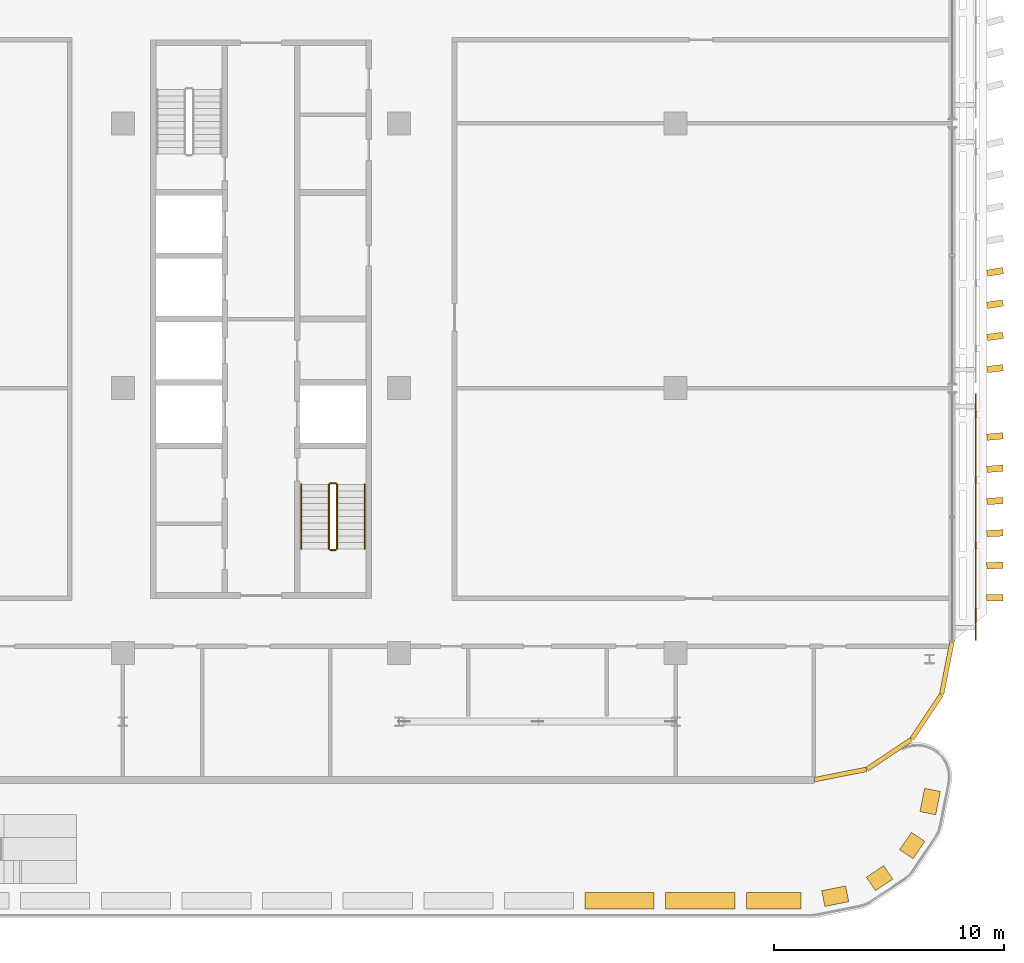
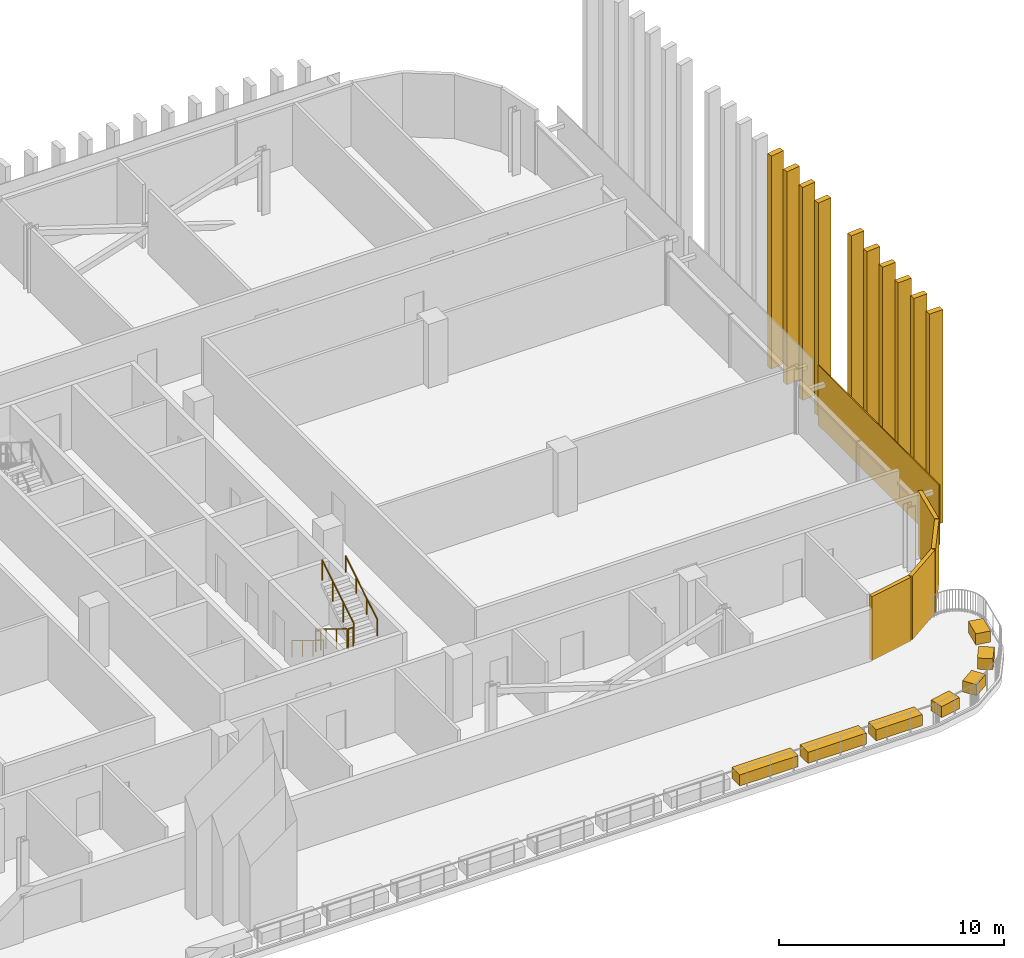
# One storey, part 28 of 30: 22 coverings, 6 railings.
"""IFC4 building model written with IfcOpenShell, lengths in metres."""

import ifcopenshell
import ifcopenshell.guid

model = None  # the IFC model being written
_history = None  # IfcOwnerHistory: only IFC2X3 demands one
_inside = {}  # id of a spatial element -> (the spatial element, [elements in it])
_under = {}  # id of a project, library or spatial element -> (it, [spatial elements below it])
_declared = {}  # id of a project -> (the project, [libraries it declares])
_typed = {}  # id of a type object -> (the type object, [elements of that type])
_made_of = {}  # id of a material, layer set ... -> (it, [elements and type objects made of it])


def new_model(schema):
    """Start an empty IFC model of exactly this schema.

    Asked for "IFC4X3", IfcOpenShell would pick the latest addendum, in which some entities
    have other attributes; the version numbers below select the first issue.
    IFC2X3 requires an IfcOwnerHistory on every rooted entity: one is made here for all.
    """
    global model, _history
    if schema == "IFC4X3":
        model = ifcopenshell.file(schema_version=(4, 3, 0, 0))
    else:
        model = ifcopenshell.file(schema=schema)
    _inside.clear()
    _under.clear()
    _declared.clear()
    _typed.clear()
    _made_of.clear()
    _history = None
    if model.schema == "IFC2X3":
        org = make("IfcOrganization", Name="unknown")
        user = make(
            "IfcPersonAndOrganization",
            ThePerson=make("IfcPerson", FamilyName="unknown"),
            TheOrganization=org,
        )
        app = make(
            "IfcApplication",
            ApplicationDeveloper=org,
            Version="unknown",
            ApplicationFullName="unknown",
            ApplicationIdentifier="unknown",
        )
        _history = make(
            "IfcOwnerHistory",
            OwningUser=user,
            OwningApplication=app,
            ChangeAction="ADDED",
            CreationDate=0,
        )
    return model


def make(cls, **values):
    """One entity of the class cls with the attributes given. An attribute that is None is left unset."""
    return model.create_entity(
        cls, **{name: value for name, value in values.items() if value is not None}
    )


def rooted(cls, **values):
    """An entity with a GlobalId (a new one), such as an element, a storey or a relation."""
    return make(cls, GlobalId=ifcopenshell.guid.new(), OwnerHistory=_history, **values)


def si_unit(unit_type, name, prefix=None):
    """IfcSIUnit, for example si_unit("LENGTHUNIT", "METRE", prefix="MILLI")."""
    return make("IfcSIUnit", UnitType=unit_type, Prefix=prefix, Name=name)


def assignment(units):
    """IfcUnitAssignment: the units of a project."""
    return None if units is None else make("IfcUnitAssignment", Units=units)


def point(xyz):
    """IfcCartesianPoint."""
    return None if xyz is None else make("IfcCartesianPoint", Coordinates=xyz)


def direction(xyz):
    """IfcDirection."""
    return None if xyz is None else make("IfcDirection", DirectionRatios=xyz)


def frame(location, z_axis=None, x_axis=None):
    """IfcAxis2Placement3D, a coordinate frame: its origin and axes. An axis left out is left unset."""
    return make(
        "IfcAxis2Placement3D",
        Location=point(location),
        Axis=direction(z_axis),
        RefDirection=direction(x_axis),
    )


def frame_2d(location, x_axis=None):
    """IfcAxis2Placement2D, a coordinate frame in the plane: its origin and x axis."""
    return make(
        "IfcAxis2Placement2D", Location=point(location), RefDirection=direction(x_axis)
    )


def origin():
    """The frame at (0, 0, 0) with its axes left unset."""
    return frame((0.0, 0.0, 0.0))


def origin_2d():
    """The frame at (0, 0) in the plane with its x axis left unset."""
    return frame_2d((0.0, 0.0))


def place(relative_to, where):
    """IfcLocalPlacement: puts the frame where relative to a parent placement (None: the world)."""
    return make(
        "IfcLocalPlacement", PlacementRelTo=relative_to, RelativePlacement=where
    )


def context(
    kind, dimensions, precision=None, world=None, true_north=None, identifier=None
):
    """IfcGeometricRepresentationContext, for example the 3D "Model" context."""
    return make(
        "IfcGeometricRepresentationContext",
        ContextIdentifier=identifier,
        ContextType=kind,
        CoordinateSpaceDimension=dimensions,
        Precision=precision,
        WorldCoordinateSystem=world,
        TrueNorth=true_north,
    )


def subcontext(parent, identifier, kind, view, scale=None):
    """IfcGeometricRepresentationSubContext, for example "Body" below "Model"."""
    return make(
        "IfcGeometricRepresentationSubContext",
        ContextIdentifier=identifier,
        ContextType=kind,
        ParentContext=parent,
        TargetScale=scale,
        TargetView=view,
    )


def project(units=None, contexts=None):
    """IfcProject with its units and contexts."""
    return rooted(
        "IfcProject",
        Name="project",
        RepresentationContexts=contexts,
        UnitsInContext=assignment(units),
    )


def spatial(cls, under=None, at=None, **own):
    """A site, building, storey or space (cls), placed at a placement, below another one or the project."""
    s = rooted(cls, ObjectPlacement=at, **own)
    if under is not None:
        _under.setdefault(under.id(), (under, []))[1].append(s)
    return s


def profile(cls, at=None, kind="AREA", **sizes):
    """A parametric profile (cls). Its sizes go by their IFC names, for example OverallWidth=200.0."""
    return make(cls, ProfileType=kind, Position=at, **sizes)


def rectangle(**sizes):
    """IfcRectangleProfileDef."""
    return profile("IfcRectangleProfileDef", **sizes)


def circle(**sizes):
    """IfcCircleProfileDef."""
    return profile("IfcCircleProfileDef", **sizes)


def extrude(swept, where, along, depth):
    """IfcExtrudedAreaSolid: the profile swept, set in the frame where, extruded along a direction by depth."""
    return make(
        "IfcExtrudedAreaSolid",
        SweptArea=swept,
        Position=where,
        ExtrudedDirection=direction(along),
        Depth=depth,
    )


def shape(context_of_items, identifier, shape_type, items):
    """IfcShapeRepresentation: the items that make up one representation, for example the "Body"."""
    return make(
        "IfcShapeRepresentation",
        ContextOfItems=context_of_items,
        RepresentationIdentifier=identifier,
        RepresentationType=shape_type,
        Items=items,
    )


def material(Name=None, Category=None):
    """IfcMaterial."""
    return make("IfcMaterial", Name=Name, Category=Category)


def layer(
    of_material, thickness, ventilated=None, Name=None, Category=None, Priority=None
):
    """IfcMaterialLayer: one layer of a wall or slab, of a material (None: an air gap)."""
    return make(
        "IfcMaterialLayer",
        Material=of_material,
        LayerThickness=thickness,
        IsVentilated=ventilated,
        Name=Name,
        Category=Category,
        Priority=Priority,
    )


def layer_set(layers, Name=None):
    """IfcMaterialLayerSet."""
    return make("IfcMaterialLayerSet", MaterialLayers=layers, LayerSetName=Name)


def made_of(thing, what):
    """Note that an element or type object is made of a material, layer set ...; save() writes the relation."""
    if what is not None:
        _made_of.setdefault(what.id(), (what, []))[1].append(thing)
    return thing


def type_object(cls, material=None, **own):
    """A type object (cls), such as IfcWallType, which elements share."""
    return made_of(rooted(cls, **own), material)


def element(
    cls,
    number,
    at=None,
    inside=None,
    cuts=None,
    type_object=None,
    material=None,
    context=None,
    identifier="Body",
    shape_type=None,
    held_by="IfcProductDefinitionShape",
    body=None,
    shapes=None,
    **own,
):
    """One element of the class cls, such as IfcWall. Its Tag is "e" and its number.

    at: its placement. inside: the storey or other place that contains it. cuts: it is an
    opening in that element (IfcRelVoidsElement). A single representation is given by context,
    identifier, shape_type and body (its items); several are given by shapes. held_by: the class
    of the entity that holds the representations. save() writes the other relations.
    """
    e = rooted(cls, Tag="e%d" % number, ObjectPlacement=at, **own)
    if body is not None:
        shapes = [shape(context, identifier, shape_type, body)]
    if shapes is not None:
        e.Representation = make(held_by, Representations=shapes)
    if inside is not None:
        _inside.setdefault(inside.id(), (inside, []))[1].append(e)
    if cuts is not None:
        rooted(
            "IfcRelVoidsElement", RelatingBuildingElement=cuts, RelatedOpeningElement=e
        )
    if type_object is not None:
        _typed.setdefault(type_object.id(), (type_object, []))[1].append(e)
    return made_of(e, material)


def aggregate(whole, parts):
    """IfcRelAggregates: a whole, such as a stair, and the parts it consists of."""
    return rooted("IfcRelAggregates", RelatingObject=whole, RelatedObjects=parts)


def save(model, path):
    """Write the relations noted so far, then the file.

    IfcRelAggregates (storeys below a building ...), IfcRelContainedInSpatialStructure (elements
    in a storey), IfcRelDefinesByType, IfcRelAssociatesMaterial and IfcRelDeclares: one each for
    every whole, place, type object, material and project.
    """
    for whole, parts in _under.values():
        aggregate(whole, parts)
    for where, things in _inside.values():
        rooted(
            "IfcRelContainedInSpatialStructure",
            RelatedElements=things,
            RelatingStructure=where,
        )
    for kind, things in _typed.values():
        rooted("IfcRelDefinesByType", RelatedObjects=things, RelatingType=kind)
    for what, things in _made_of.values():
        rooted("IfcRelAssociatesMaterial", RelatedObjects=things, RelatingMaterial=what)
    for by, libraries in _declared.values():
        rooted("IfcRelDeclares", RelatingContext=by, RelatedDefinitions=libraries)
    model.write(path)


model = new_model("IFC4")

# Units and contexts
model_context = context("Model", 3, precision=1e-05, world=origin(), true_north=direction((0.0, 1.0)))
body_context = subcontext(model_context, "Body", "Model", "MODEL_VIEW")
ifc_project = project(units=[si_unit("LENGTHUNIT", "METRE"), si_unit("AREAUNIT", "SQUARE_METRE"), si_unit("VOLUMEUNIT", "CUBIC_METRE"), si_unit("PLANEANGLEUNIT", "RADIAN"), si_unit("MASSUNIT", "GRAM", prefix="KILO")], contexts=[model_context])

# Site, building, storey
site_placement = place(None, origin())
site = spatial("IfcSite", under=ifc_project, at=site_placement, CompositionType="ELEMENT")
building_placement = place(site_placement, origin())
building = spatial("IfcBuilding", under=site, at=building_placement, Name="Mahtab Terrace Research Tower", CompositionType="ELEMENT")
storey_placement = place(building_placement, frame((0.0, 0.0, 228.60009765625)))
storey = spatial("IfcBuildingStorey", under=building, at=storey_placement, Name="L55", CompositionType="ELEMENT", Elevation=228.60009765625)

# Coverings
ifc_material_1 = material(Name="Black aluminium cladding panel", Category="aluminium")
ifc_layer_1 = layer(ifc_material_1, 0.199951171875)
ifc_layer_set_1 = layer_set([ifc_layer_1], Name="Black metal corner cladding 200")
covering_type_1 = type_object("IfcCoveringType", Name="Black metal corner cladding 200", PredefinedType="CLADDING", material=ifc_layer_set_1)
for number, where, z_axis, x_axis, name in (
    (1, (49.14794921875, -16.771484375, 0.0), (0.0, 0.0, 1.0), (0.980760981187, 0.195212442692, 0.0), "Corner cladding L55 16"),
    (2, (51.26953125, -15.89306640625, 0.0), (0.0, 0.0, 1.0), (0.831655794326, 0.555291490808, 0.0), "Corner cladding L55 17"),
    (3, (52.89306640625, -14.26953125, 0.0), (0.0, 0.0, 1.0), (0.555291490808, 0.831655794326, 0.0), "Corner cladding L55 18"),
    (4, (53.771484375, -12.14794921875, 0.0), (0.0, 0.0, 1.0), (0.195212442692, 0.980760981187, 0.0), "Corner cladding L55 19"),
):
    element("IfcCovering", number, at=place(storey_placement, frame(where, z_axis=z_axis, x_axis=x_axis)), inside=storey, type_object=covering_type_1, Name=name, PredefinedType="CLADDING", context=body_context, shape_type="SweptSolid", body=[
        extrude(rectangle(XDim=2.30126953125, YDim=0.199951171875, at=origin_2d()), origin(), (0.0, 0.0, 1.0), 3.4599609375),
    ])
ifc_material_2 = material(Name="Planting soil and shrubs")
ifc_layer_2 = layer(ifc_material_2, 0.1201171875)
ifc_layer_set_2 = layer_set([ifc_layer_2], Name="Planter")
covering_type_2 = type_object("IfcCoveringType", Name="Planter", PredefinedType="USERDEFINED", material=ifc_layer_set_2)
for number, where, z_axis, x_axis, name in (
    (5, (39.56591796875, -22.25, 0.02978515625), (0.0, 0.0, 1.0), (1.0, 0.0, 0.0), "PLANTER terrace 6"),
    (6, (43.06591796875, -22.25, 0.02978515625), (0.0, 0.0, 1.0), (1.0, 0.0, 0.0), "PLANTER terrace 6"),
):
    element("IfcCovering", number, at=place(storey_placement, frame(where, z_axis=z_axis, x_axis=x_axis)), inside=storey, type_object=covering_type_2, Name=name, ObjectType="PLANTER", PredefinedType="USERDEFINED", context=body_context, shape_type="SweptSolid", body=[
        extrude(rectangle(XDim=3.0, YDim=0.699951171875, at=origin_2d()), origin(), (0.0, 0.0, 1.0), 0.60009765625),
    ])
covering_1_placement = place(storey_placement, frame((46.25, -22.25, 0.02978515625), z_axis=(0.0, 0.0, 1.0), x_axis=(1.0, 0.0, 0.0)))
element("IfcCovering", 7, at=covering_1_placement, inside=storey, type_object=covering_type_2, Name="PLANTER terrace 6", ObjectType="PLANTER", PredefinedType="USERDEFINED", context=body_context, shape_type="SweptSolid", body=[
    extrude(rectangle(XDim=2.368408203125, YDim=0.699951171875, at=origin_2d()), origin(), (0.0, 0.0, 1.0), 0.60009765625),
])
covering_2_placement = place(storey_placement, frame((48.92822265625, -22.05029296875, 0.02978515625), z_axis=(0.0, 0.0, 1.0), x_axis=(0.980742754391, 0.195303993071, 0.0)))
element("IfcCovering", 8, at=covering_2_placement, inside=storey, type_object=covering_type_2, Name="PLANTER terrace 6", ObjectType="PLANTER", PredefinedType="USERDEFINED", context=body_context, shape_type="SweptSolid", body=[
    extrude(rectangle(XDim=1.060546875, YDim=0.699951171875, at=origin_2d()), origin(), (0.0, 0.0, 1.0), 0.60009765625),
])
for number, where, z_axis, x_axis, name in (
    (9, (50.853759765625, -21.268798828125, 0.02978515625), (0.0, 0.0, 1.0), (0.831344457855, 0.555757494231, 0.0), "PLANTER terrace 6"),
    (10, (52.268798828125, -19.853759765625, 0.02978515625), (0.0, 0.0, 1.0), (0.555757494231, 0.831344457855, 0.0), "PLANTER terrace 6"),
):
    element("IfcCovering", number, at=place(storey_placement, frame(where, z_axis=z_axis, x_axis=x_axis)), inside=storey, type_object=covering_type_2, Name=name, ObjectType="PLANTER", PredefinedType="USERDEFINED", context=body_context, shape_type="SweptSolid", body=[
        extrude(rectangle(XDim=0.908447265625, YDim=0.699951171875, at=origin_2d()), origin(), (0.0, 0.0, 1.0), 0.60009765625),
    ])
covering_3_placement = place(storey_placement, frame((53.0478515625, -17.941162109375, 0.02978515625), z_axis=(0.0, 0.0, 1.0), x_axis=(0.195395445655, 0.980724538195, 0.0)))
element("IfcCovering", 11, at=covering_3_placement, inside=storey, type_object=covering_type_2, Name="PLANTER terrace 6", ObjectType="PLANTER", PredefinedType="USERDEFINED", context=body_context, shape_type="SweptSolid", body=[
    extrude(rectangle(XDim=1.0341796875, YDim=0.699951171875, at=origin_2d()), origin(), (0.0, 0.0, 1.0), 0.60009765625),
])
ifc_material_3 = material(Name="Bronze anodised aluminium", Category="aluminium")
ifc_layer_3 = layer(ifc_material_3, 0.050048828125)
ifc_layer_set_3 = layer_set([ifc_layer_3], Name="Sky lounge girih screen panel")
covering_type_3 = type_object("IfcCoveringType", Name="Sky lounge girih screen panel", PredefinedType="CLADDING", material=ifc_layer_set_3)
covering_4_placement = place(storey_placement, frame((55.02490234375, -5.596435546875, 0.10009765625), z_axis=(0.0, 0.0, 1.0), x_axis=(0.0, 1.0, 0.0)))
element("IfcCovering", 12, at=covering_4_placement, inside=storey, type_object=covering_type_3, Name="Girih screen L55 E21", PredefinedType="CLADDING", context=body_context, shape_type="SweptSolid", body=[
    extrude(rectangle(XDim=10.70703125, YDim=0.050048828125, at=origin_2d()), origin(), (0.0, 0.0, 1.0), 3.260009765625),
])

# Railings
ifc_material_4 = material(Name="Stainless steel AISI 304", Category="steel")
railing_type_1 = type_object("IfcRailingType", Name="Stair guard 1100", PredefinedType="GUARDRAIL", material=ifc_material_4)
railing_1_placement = place(storey_placement, frame((26.949951171875, -4.175048828125, 0.172607421875)))
element("IfcRailing", 13, at=railing_1_placement, inside=storey, type_object=railing_type_1, Name="L55 ST4 stair guard 1", PredefinedType="GUARDRAIL", context=body_context, shape_type="SweptSolid", body=[
    extrude(circle(Radius=0.02392578125, at=origin_2d()), frame((0.0, 0.0, 1.076171875), z_axis=(0.0, -0.851089632645, 0.525020415988), x_axis=(1.0, 0.0, 0.0)), (0.0, 0.0, 1.0), 3.2900390625),
    extrude(circle(Radius=0.02099609375, at=origin_2d()), origin(), (0.0, 0.0, 1.0), 1.052001953125),
    extrude(circle(Radius=0.02099609375, at=origin_2d()), frame((0.0, -0.933349609375, 0.57568359375)), (0.0, 0.0, 1.0), 1.052001953125),
    extrude(circle(Radius=0.02099609375, at=origin_2d()), frame((0.0, -1.86669921875, 1.151611328125)), (0.0, 0.0, 1.0), 1.052001953125),
    extrude(circle(Radius=0.02099609375, at=origin_2d()), frame((0.0, -2.800048828125, 1.727294921875)), (0.0, 0.0, 1.0), 1.052001953125),
])
railing_2_placement = place(storey_placement, frame((27.0, -7.02490234375, 1.89990234375)))
element("IfcRailing", 14, at=railing_2_placement, inside=storey, type_object=railing_type_1, Name="L55 ST4 stair guard 2", PredefinedType="GUARDRAIL", context=body_context, shape_type="SweptSolid", body=[
    extrude(circle(Radius=0.02392578125, at=origin_2d()), frame((0.0, 0.0, 1.076171875), z_axis=(1.0, 0.0, 0.0), x_axis=(0.0, 1.0, 0.0)), (0.0, 0.0, 1.0), 0.25),
    extrude(circle(Radius=0.02099609375, at=origin_2d()), origin(), (0.0, 0.0, 1.0), 1.052001953125),
    extrude(circle(Radius=0.02099609375, at=origin_2d()), frame((0.25, 0.0, 0.0)), (0.0, 0.0, 1.0), 1.052001953125),
])
railing_3_placement = place(storey_placement, frame((27.300048828125, -6.97509765625, 2.072509765625)))
element("IfcRailing", 15, at=railing_3_placement, inside=storey, type_object=railing_type_1, Name="L55 ST4 stair guard 3", PredefinedType="GUARDRAIL", context=body_context, shape_type="SweptSolid", body=[
    extrude(circle(Radius=0.02392578125, at=origin_2d()), frame((0.0, 0.0, 1.076171875), z_axis=(0.0, 0.851089632645, 0.525020415988), x_axis=(-1.0, 0.0, 0.0)), (0.0, 0.0, 1.0), 3.2900390625),
    extrude(circle(Radius=0.02099609375, at=origin_2d()), origin(), (0.0, 0.0, 1.0), 1.052001953125),
    extrude(circle(Radius=0.02099609375, at=origin_2d()), frame((0.0, 0.933349609375, 0.57568359375)), (0.0, 0.0, 1.0), 1.052001953125),
    extrude(circle(Radius=0.02099609375, at=origin_2d()), frame((0.0, 1.86669921875, 1.151611328125)), (0.0, 0.0, 1.0), 1.052001953125),
    extrude(circle(Radius=0.02099609375, at=origin_2d()), frame((0.0, 2.800048828125, 1.727294921875)), (0.0, 0.0, 1.0), 1.052001953125),
])
railing_4_placement = place(storey_placement, frame((27.0, -4.125, 0.0)))
element("IfcRailing", 16, at=railing_4_placement, inside=storey, type_object=railing_type_1, Name="L55 ST4 stair guard 4", PredefinedType="GUARDRAIL", context=body_context, shape_type="SweptSolid", body=[
    extrude(circle(Radius=0.02392578125, at=origin_2d()), frame((0.0, 0.0, 1.076171875), z_axis=(1.0, 0.0, 0.0), x_axis=(0.0, 1.0, 0.0)), (0.0, 0.0, 1.0), 0.25),
    extrude(circle(Radius=0.02099609375, at=origin_2d()), origin(), (0.0, 0.0, 1.0), 1.052001953125),
    extrude(circle(Radius=0.02099609375, at=origin_2d()), frame((0.25, 0.0, 0.0)), (0.0, 0.0, 1.0), 1.052001953125),
])
railing_type_2 = type_object("IfcRailingType", Name="Stair handrail 900", PredefinedType="HANDRAIL", material=ifc_material_4)
railing_5_placement = place(storey_placement, frame((25.75, -4.175048828125, 0.172607421875)))
element("IfcRailing", 17, at=railing_5_placement, inside=storey, type_object=railing_type_2, Name="L55 ST4 stair handrail 1", PredefinedType="HANDRAIL", context=body_context, shape_type="SweptSolid", body=[
    extrude(circle(Radius=0.02392578125, at=origin_2d()), frame((0.0, 0.0, 0.8759765625), z_axis=(0.0, -0.851089632645, 0.525020415988), x_axis=(1.0, 0.0, 0.0)), (0.0, 0.0, 1.0), 3.2900390625),
    extrude(circle(Radius=0.02099609375, at=origin_2d()), origin(), (0.0, 0.0, 1.0), 0.851806640625),
    extrude(circle(Radius=0.02099609375, at=origin_2d()), frame((0.0, -0.933349609375, 0.57568359375)), (0.0, 0.0, 1.0), 0.851806640625),
    extrude(circle(Radius=0.02099609375, at=origin_2d()), frame((0.0, -1.86669921875, 1.151611328125)), (0.0, 0.0, 1.0), 0.851806640625),
    extrude(circle(Radius=0.02099609375, at=origin_2d()), frame((0.0, -2.800048828125, 1.727294921875)), (0.0, 0.0, 1.0), 0.851806640625),
])
railing_6_placement = place(storey_placement, frame((28.5, -6.97509765625, 2.072509765625)))
element("IfcRailing", 18, at=railing_6_placement, inside=storey, type_object=railing_type_2, Name="L55 ST4 stair handrail 2", PredefinedType="HANDRAIL", context=body_context, shape_type="SweptSolid", body=[
    extrude(circle(Radius=0.02392578125, at=origin_2d()), frame((0.0, 0.0, 0.8759765625), z_axis=(0.0, 0.851089632645, 0.525020415988), x_axis=(-1.0, 0.0, 0.0)), (0.0, 0.0, 1.0), 3.2900390625),
    extrude(circle(Radius=0.02099609375, at=origin_2d()), origin(), (0.0, 0.0, 1.0), 0.851806640625),
    extrude(circle(Radius=0.02099609375, at=origin_2d()), frame((0.0, 0.933349609375, 0.57568359375)), (0.0, 0.0, 1.0), 0.851806640625),
    extrude(circle(Radius=0.02099609375, at=origin_2d()), frame((0.0, 1.86669921875, 1.151611328125)), (0.0, 0.0, 1.0), 0.851806640625),
    extrude(circle(Radius=0.02099609375, at=origin_2d()), frame((0.0, 2.800048828125, 1.727294921875)), (0.0, 0.0, 1.0), 0.851806640625),
])

# Coverings
ifc_layer_4 = layer(ifc_material_3, 0.1201171875)
ifc_layer_set_4 = layer_set([ifc_layer_4], Name="Vertical fin 700")
covering_type_4 = type_object("IfcCoveringType", Name="Vertical fin 700", PredefinedType="CLADDING", material=ifc_layer_set_4)
for number, where, z_axis, x_axis, name in (
    (19, (55.852783203125, -9.096435546875, -0.14990234375), (0.0, 0.0, 1.0), (-0.019541310398, 0.999809050363, 0.0), "Fin L55 E1"),
    (20, (55.8544921875, -7.696533203125, -0.14990234375), (0.0, 0.0, 1.0), (-0.033909352245, 0.999424912552, 0.0), "Fin L55 E2"),
    (21, (55.8564453125, -6.29638671875, -0.14990234375), (0.0, 0.0, 1.0), (-0.04827038882, 0.99883430536, 0.0), "Fin L55 E3"),
    (22, (55.858154296875, -4.896484375, -0.14990234375), (0.0, 0.0, 1.0), (-0.062621453303, 0.998037350797, 0.0), "Fin L55 E4"),
    (23, (55.859619140625, -3.49658203125, -0.14990234375), (0.0, 0.0, 1.0), (-0.076959580916, 0.997034213508, 0.0), "Fin L55 E5"),
    (24, (55.861328125, -2.096435546875, -0.14990234375), (0.0, 0.0, 1.0), (-0.091281809606, 0.995825100726, 0.0), "Fin L55 E6"),
    (25, (55.864501953125, 0.85009765625, -0.14990234375), (0.0, 0.0, 1.0), (-0.121359821532, 0.992608580316, 0.0), "Fin L55 E1"),
    (26, (55.86572265625, 2.25, -0.14990234375), (0.0, 0.0, 1.0), (-0.135613855178, 0.990761768683, 0.0), "Fin L55 E2"),
    (27, (55.866943359375, 3.64990234375, -0.14990234375), (0.0, 0.0, 1.0), (-0.149839872602, 0.988710277371, 0.0), "Fin L55 E3"),
    (28, (55.8681640625, 5.050048828125, -0.14990234375), (0.0, 0.0, 1.0), (-0.164034934879, 0.986454530193, 0.0), "Fin L55 E4"),
):
    element("IfcCovering", number, at=place(storey_placement, frame(where, z_axis=z_axis, x_axis=x_axis)), inside=storey, type_object=covering_type_4, Name=name, PredefinedType="CLADDING", context=body_context, shape_type="SweptSolid", body=[
        extrude(rectangle(XDim=0.280029296875, YDim=0.699951171875, at=origin_2d()), origin(), (0.0, 0.0, 1.0), 11.550048828125),
    ])

save(model, "model.ifc")
